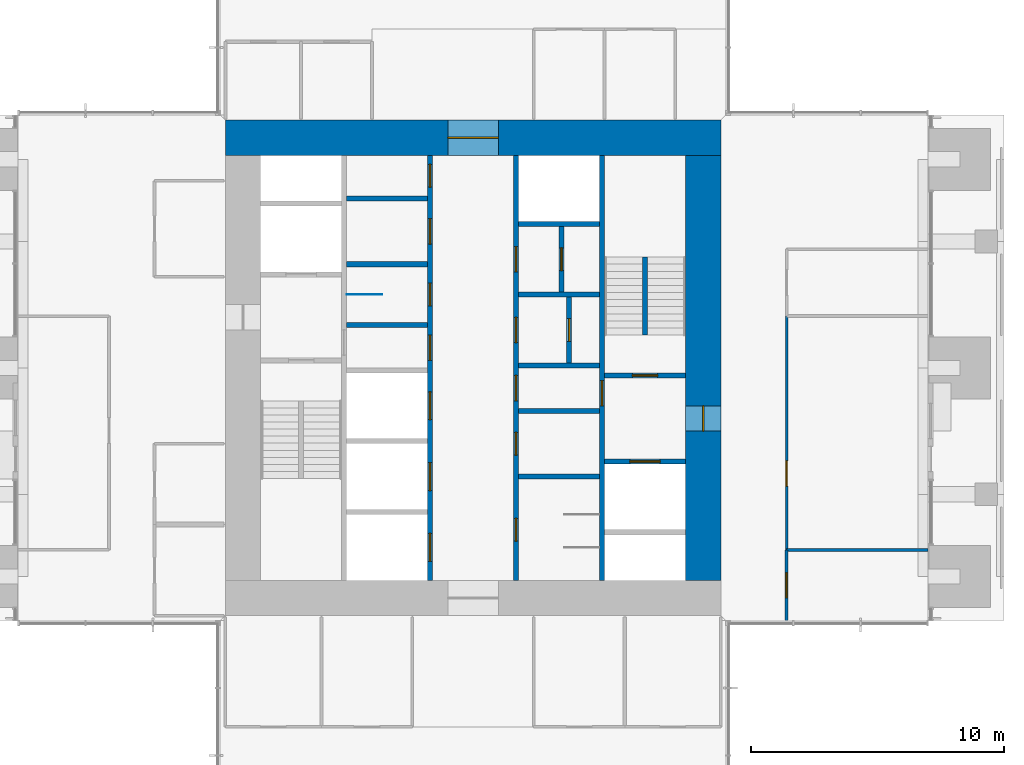
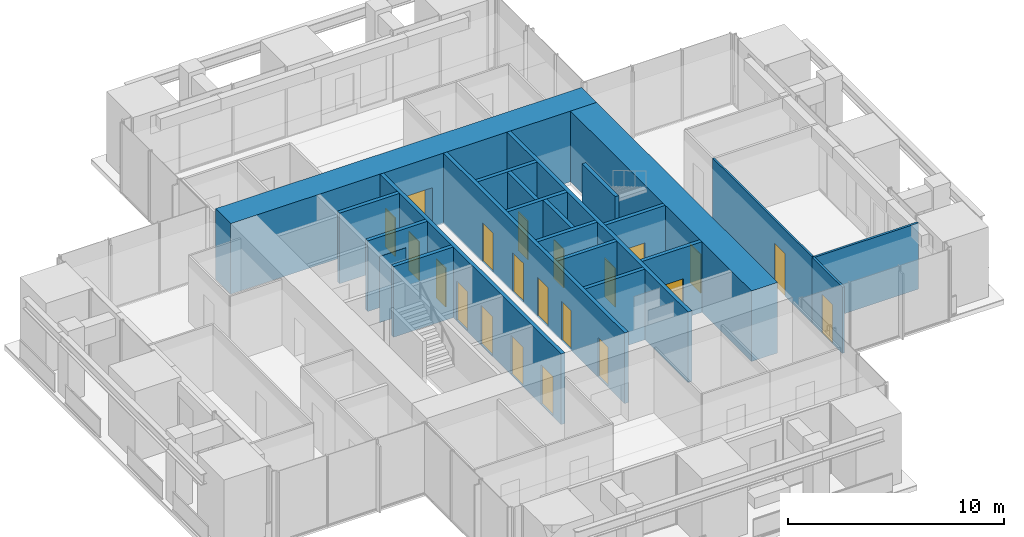
# One storey, part 13 of 17: 22 walls, 21 doors, 21 openings.
"""IFC4 building model written with IfcOpenShell, lengths in metres."""

from ifc_helpers import new_model, si_unit, direction, frame, frame_2d, origin, place, context, subcontext, project, spatial, rectangle, extrude, material, layer, layer_set, type_object, element, fill, save


model = new_model("IFC4")

# Units and contexts
model_context = context("Model", 3, precision=1e-05, world=origin(), true_north=direction((0.0, 1.0)))
body_context = subcontext(model_context, "Body", "Model", "MODEL_VIEW")
ifc_project = project(units=[si_unit("LENGTHUNIT", "METRE"), si_unit("AREAUNIT", "SQUARE_METRE"), si_unit("VOLUMEUNIT", "CUBIC_METRE"), si_unit("PLANEANGLEUNIT", "RADIAN"), si_unit("MASSUNIT", "GRAM", prefix="KILO")], contexts=[model_context])

# Site, building, storey
site_placement = place(None, origin())
site = spatial("IfcSite", under=ifc_project, at=site_placement, CompositionType="ELEMENT")
building_placement = place(site_placement, origin())
building = spatial("IfcBuilding", under=site, at=building_placement, Name="Svetlomir Tower", CompositionType="ELEMENT")
storey_placement = place(building_placement, frame((0.0, 0.0, 202.5)))
storey = spatial("IfcBuildingStorey", under=building, at=storey_placement, Name="L48", CompositionType="ELEMENT", Elevation=202.5)

# Wall, openings, doors
ifc_material_1 = material(Name="Concrete C60/75", Category="concrete")
ifc_layer_1 = layer(ifc_material_1, 0.199951171875)
ifc_layer_set_1 = layer_set([ifc_layer_1], Name="Concrete C60/75")
wall_type_1 = type_object("IfcWallType", Name="CORE INNER WALL 200", PredefinedType="SHEAR", material=ifc_layer_set_1)
wall_1_placement = place(storey_placement, frame((19.300048828125, 12.60009765625, -0.050048828125), z_axis=(0.0, 0.0, 1.0), x_axis=(0.0, 1.0, 0.0)))
wall_1 = element("IfcWall", 1, at=wall_1_placement, inside=storey, type_object=wall_type_1, Name="Core inner wall 19.3 L48", PredefinedType="SHEAR", context=body_context, shape_type="SweptSolid", body=[
    extrude(rectangle(XDim=16.7998046875, YDim=0.199951171875, at=frame_2d((8.39990234375, 0.0))), origin(), (0.0, 0.0, 1.0), 4.0),
])
opening_1_placement = place(wall_1_placement, frame((8.699951171875, 0.0, 0.050048828125)))
opening_1 = element("IfcOpeningElement", 2, at=opening_1_placement, cuts=wall_1, Name="Opening DC", PredefinedType="OPENING", context=body_context, shape_type="SweptSolid", body=[
    extrude(rectangle(XDim=1.0, YDim=2.199951171875, at=frame_2d((0.5, 1.10009765625))), frame((0.0, 0.10986328125, 0.0), z_axis=(0.0, -1.0, 0.0), x_axis=(1.0, 0.0, 0.0)), (0.0, 0.0, 1.0), 0.219970703125),
])
opening_2_placement = place(wall_1_placement, frame((10.85009765625, 0.0, 0.050048828125)))
opening_2 = element("IfcOpeningElement", 3, at=opening_2_placement, cuts=wall_1, Name="Opening DW", PredefinedType="OPENING", context=body_context, shape_type="SweptSolid", body=[
    extrude(rectangle(XDim=0.89990234375, YDim=2.199951171875, at=frame_2d((0.449951171875, 1.10009765625))), frame((0.0, 0.10986328125, 0.0), z_axis=(0.0, -1.0, 0.0), x_axis=(1.0, 0.0, 0.0)), (0.0, 0.0, 1.0), 0.219970703125),
])
opening_3_placement = place(wall_1_placement, frame((13.300048828125, 0.0, 0.050048828125)))
opening_3 = element("IfcOpeningElement", 4, at=opening_3_placement, cuts=wall_1, Name="Opening DC", PredefinedType="OPENING", context=body_context, shape_type="SweptSolid", body=[
    extrude(rectangle(XDim=1.0, YDim=2.199951171875, at=frame_2d((0.5, 1.10009765625))), frame((0.0, 0.10986328125, 0.0), z_axis=(0.0, -1.0, 0.0), x_axis=(1.0, 0.0, 0.0)), (0.0, 0.0, 1.0), 0.219970703125),
])
opening_4_placement = place(wall_1_placement, frame((15.550048828125, 0.0, 0.050048828125)))
opening_4 = element("IfcOpeningElement", 5, at=opening_4_placement, cuts=wall_1, Name="Opening DW", PredefinedType="OPENING", context=body_context, shape_type="SweptSolid", body=[
    extrude(rectangle(XDim=0.89990234375, YDim=2.199951171875, at=frame_2d((0.449951171875, 1.10009765625))), frame((0.0, 0.10986328125, 0.0), z_axis=(0.0, -1.0, 0.0), x_axis=(1.0, 0.0, 0.0)), (0.0, 0.0, 1.0), 0.219970703125),
])
opening_5_placement = place(wall_1_placement, frame((0.75, 0.0, 0.050048828125)))
opening_5 = element("IfcOpeningElement", 6, at=opening_5_placement, cuts=wall_1, Name="Opening LD", PredefinedType="OPENING", context=body_context, shape_type="SweptSolid", body=[
    extrude(rectangle(XDim=1.10009765625, YDim=2.199951171875, at=frame_2d((0.550048828125, 1.10009765625))), frame((0.0, 0.10986328125, 0.0), z_axis=(0.0, -1.0, 0.0), x_axis=(1.0, 0.0, 0.0)), (0.0, 0.0, 1.0), 0.219970703125),
])
opening_6_placement = place(wall_1_placement, frame((3.550048828125, 0.0, 0.050048828125)))
opening_6 = element("IfcOpeningElement", 7, at=opening_6_placement, cuts=wall_1, Name="Opening LD", PredefinedType="OPENING", context=body_context, shape_type="SweptSolid", body=[
    extrude(rectangle(XDim=1.10009765625, YDim=2.199951171875, at=frame_2d((0.550048828125, 1.10009765625))), frame((0.0, 0.10986328125, 0.0), z_axis=(0.0, -1.0, 0.0), x_axis=(1.0, 0.0, 0.0)), (0.0, 0.0, 1.0), 0.219970703125),
])
opening_7_placement = place(wall_1_placement, frame((6.35009765625, 0.0, 0.050048828125)))
opening_7 = element("IfcOpeningElement", 8, at=opening_7_placement, cuts=wall_1, Name="Opening LD", PredefinedType="OPENING", context=body_context, shape_type="SweptSolid", body=[
    extrude(rectangle(XDim=1.10009765625, YDim=2.199951171875, at=frame_2d((0.550048828125, 1.10009765625))), frame((0.0, 0.10986328125, 0.0), z_axis=(0.0, -1.0, 0.0), x_axis=(1.0, 0.0, 0.0)), (0.0, 0.0, 1.0), 0.219970703125),
])
ifc_material_2 = material(Name="Timber fire door", Category="wood")
door_type_1 = type_object("IfcDoorType", Name="DOOR DC 1000x2200", OperationType="SINGLE_SWING_LEFT", PredefinedType="DOOR", material=ifc_material_2)
door_1_placement = place(opening_1_placement, origin())
door_1 = element("IfcDoor", 9, at=door_1_placement, inside=storey, type_object=door_type_1, Name="Core corridor west lobby door L48", OperationType="SINGLE_SWING_LEFT", OverallHeight=2.199951171875, OverallWidth=1.0, PredefinedType="DOOR", context=body_context, shape_type="SweptSolid", body=[
    extrude(rectangle(XDim=1.0, YDim=2.199951171875, at=frame_2d((0.5, 1.10009765625))), frame((0.0, 0.02490234375, 0.0), z_axis=(0.0, -1.0, 0.0), x_axis=(1.0, 0.0, 0.0)), (0.0, 0.0, 1.0), 0.050048828125),
])
fill(opening_1, door_1)
door_2_placement = place(opening_3_placement, origin())
door_2 = element("IfcDoor", 10, at=door_2_placement, inside=storey, type_object=door_type_1, Name="Accessible WC door L48", OperationType="SINGLE_SWING_RIGHT", OverallHeight=2.199951171875, OverallWidth=1.0, PredefinedType="DOOR", context=body_context, shape_type="SweptSolid", body=[
    extrude(rectangle(XDim=1.0, YDim=2.199951171875, at=frame_2d((0.5, 1.10009765625))), frame((0.0, 0.02490234375, 0.0), z_axis=(0.0, -1.0, 0.0), x_axis=(1.0, 0.0, 0.0)), (0.0, 0.0, 1.0), 0.050048828125),
])
fill(opening_3, door_2)
ifc_material_3 = material(Name="Timber fire door", Category="wood")
door_type_2 = type_object("IfcDoorType", Name="DOOR DW 900x2200", OperationType="SINGLE_SWING_LEFT", PredefinedType="DOOR", material=ifc_material_3)
door_3_placement = place(opening_2_placement, origin())
door_3 = element("IfcDoor", 11, at=door_3_placement, inside=storey, type_object=door_type_2, Name="Female WC door L48", OperationType="SINGLE_SWING_LEFT", OverallHeight=2.199951171875, OverallWidth=0.89990234375, PredefinedType="DOOR", context=body_context, shape_type="SweptSolid", body=[
    extrude(rectangle(XDim=0.89990234375, YDim=2.199951171875, at=frame_2d((0.449951171875, 1.10009765625))), frame((0.0, 0.02490234375, 0.0), z_axis=(0.0, -1.0, 0.0), x_axis=(1.0, 0.0, 0.0)), (0.0, 0.0, 1.0), 0.050048828125),
])
fill(opening_2, door_3)
door_4_placement = place(opening_4_placement, origin())
door_4 = element("IfcDoor", 12, at=door_4_placement, inside=storey, type_object=door_type_2, Name="Cleaner's store door L48", OperationType="SINGLE_SWING_LEFT", OverallHeight=2.199951171875, OverallWidth=0.89990234375, PredefinedType="DOOR", context=body_context, shape_type="SweptSolid", body=[
    extrude(rectangle(XDim=0.89990234375, YDim=2.199951171875, at=frame_2d((0.449951171875, 1.10009765625))), frame((0.0, 0.02490234375, 0.0), z_axis=(0.0, -1.0, 0.0), x_axis=(1.0, 0.0, 0.0)), (0.0, 0.0, 1.0), 0.050048828125),
])
fill(opening_4, door_4)
ifc_material_4 = material(Name="Stainless steel landing door", Category="steel")
door_type_3 = type_object("IfcDoorType", Name="LIFT LANDING DOOR LD 1100x2200", OperationType="DOUBLE_DOOR_SLIDING", PredefinedType="DOOR", material=ifc_material_4)
door_5_placement = place(opening_5_placement, origin())
door_5 = element("IfcDoor", 13, at=door_5_placement, inside=storey, type_object=door_type_3, Name="Landing door lift LC1 L48", OperationType="DOUBLE_DOOR_SLIDING", OverallHeight=2.199951171875, OverallWidth=1.10009765625, PredefinedType="DOOR", context=body_context, shape_type="SweptSolid", body=[
    extrude(rectangle(XDim=1.10009765625, YDim=2.199951171875, at=frame_2d((0.550048828125, 1.10009765625))), frame((0.0, 0.02490234375, 0.0), z_axis=(0.0, -1.0, 0.0), x_axis=(1.0, 0.0, 0.0)), (0.0, 0.0, 1.0), 0.050048828125),
])
fill(opening_5, door_5)
door_6_placement = place(opening_6_placement, origin())
door_6 = element("IfcDoor", 14, at=door_6_placement, inside=storey, type_object=door_type_3, Name="Landing door lift LC2 L48", OperationType="DOUBLE_DOOR_SLIDING", OverallHeight=2.199951171875, OverallWidth=1.10009765625, PredefinedType="DOOR", context=body_context, shape_type="SweptSolid", body=[
    extrude(rectangle(XDim=1.10009765625, YDim=2.199951171875, at=frame_2d((0.550048828125, 1.10009765625))), frame((0.0, 0.02490234375, 0.0), z_axis=(0.0, -1.0, 0.0), x_axis=(1.0, 0.0, 0.0)), (0.0, 0.0, 1.0), 0.050048828125),
])
fill(opening_6, door_6)
door_7_placement = place(opening_7_placement, origin())
door_7 = element("IfcDoor", 15, at=door_7_placement, inside=storey, type_object=door_type_3, Name="Landing door lift LC3 L48", OperationType="DOUBLE_DOOR_SLIDING", OverallHeight=2.199951171875, OverallWidth=1.10009765625, PredefinedType="DOOR", context=body_context, shape_type="SweptSolid", body=[
    extrude(rectangle(XDim=1.10009765625, YDim=2.199951171875, at=frame_2d((0.550048828125, 1.10009765625))), frame((0.0, 0.02490234375, 0.0), z_axis=(0.0, -1.0, 0.0), x_axis=(1.0, 0.0, 0.0)), (0.0, 0.0, 1.0), 0.050048828125),
])
fill(opening_7, door_7)

wall_2_placement = place(storey_placement, frame((22.699951171875, 12.60009765625, -0.050048828125), z_axis=(0.0, 0.0, 1.0), x_axis=(0.0, 1.0, 0.0)))
wall_2 = element("IfcWall", 16, at=wall_2_placement, inside=storey, type_object=wall_type_1, Name="Core inner wall 22.7 L48", PredefinedType="SHEAR", context=body_context, shape_type="SweptSolid", body=[
    extrude(rectangle(XDim=16.7998046875, YDim=0.199951171875, at=frame_2d((8.39990234375, 0.0))), origin(), (0.0, 0.0, 1.0), 4.0),
])
opening_8_placement = place(wall_2_placement, frame((7.10009765625, 0.0, 0.050048828125)))
opening_8 = element("IfcOpeningElement", 17, at=opening_8_placement, cuts=wall_2, Name="Opening DC", PredefinedType="OPENING", context=body_context, shape_type="SweptSolid", body=[
    extrude(rectangle(XDim=1.0, YDim=2.199951171875, at=frame_2d((0.5, 1.10009765625))), frame((0.0, 0.10986328125, 0.0), z_axis=(0.0, -1.0, 0.0), x_axis=(1.0, 0.0, 0.0)), (0.0, 0.0, 1.0), 0.219970703125),
])
opening_9_placement = place(wall_2_placement, frame((1.550048828125, 0.0, 0.050048828125)))
opening_9 = element("IfcOpeningElement", 18, at=opening_9_placement, cuts=wall_2, Name="Opening DW", PredefinedType="OPENING", context=body_context, shape_type="SweptSolid", body=[
    extrude(rectangle(XDim=0.89990234375, YDim=2.199951171875, at=frame_2d((0.449951171875, 1.10009765625))), frame((0.0, 0.10986328125, 0.0), z_axis=(0.0, -1.0, 0.0), x_axis=(1.0, 0.0, 0.0)), (0.0, 0.0, 1.0), 0.219970703125),
])
opening_10_placement = place(wall_2_placement, frame((4.949951171875, 0.0, 0.050048828125)))
opening_10 = element("IfcOpeningElement", 19, at=opening_10_placement, cuts=wall_2, Name="Opening DW", PredefinedType="OPENING", context=body_context, shape_type="SweptSolid", body=[
    extrude(rectangle(XDim=0.89990234375, YDim=2.199951171875, at=frame_2d((0.449951171875, 1.10009765625))), frame((0.0, 0.10986328125, 0.0), z_axis=(0.0, -1.0, 0.0), x_axis=(1.0, 0.0, 0.0)), (0.0, 0.0, 1.0), 0.219970703125),
])
opening_11_placement = place(wall_2_placement, frame((9.39990234375, 0.0, 0.050048828125)))
opening_11 = element("IfcOpeningElement", 20, at=opening_11_placement, cuts=wall_2, Name="Opening DC", PredefinedType="OPENING", context=body_context, shape_type="SweptSolid", body=[
    extrude(rectangle(XDim=1.0, YDim=2.199951171875, at=frame_2d((0.5, 1.10009765625))), frame((0.0, 0.10986328125, 0.0), z_axis=(0.0, -1.0, 0.0), x_axis=(1.0, 0.0, 0.0)), (0.0, 0.0, 1.0), 0.219970703125),
])
opening_12_placement = place(wall_2_placement, frame((12.199951171875, 0.0, 0.050048828125)))
opening_12 = element("IfcOpeningElement", 21, at=opening_12_placement, cuts=wall_2, Name="Opening DC", PredefinedType="OPENING", context=body_context, shape_type="SweptSolid", body=[
    extrude(rectangle(XDim=1.0, YDim=2.199951171875, at=frame_2d((0.5, 1.10009765625))), frame((0.0, 0.10986328125, 0.0), z_axis=(0.0, -1.0, 0.0), x_axis=(1.0, 0.0, 0.0)), (0.0, 0.0, 1.0), 0.219970703125),
])
door_8_placement = place(opening_8_placement, origin())
door_8 = element("IfcDoor", 22, at=door_8_placement, inside=storey, type_object=door_type_1, Name="Core corridor east lobby door L48", OperationType="SINGLE_SWING_RIGHT", OverallHeight=2.199951171875, OverallWidth=1.0, PredefinedType="DOOR", context=body_context, shape_type="SweptSolid", body=[
    extrude(rectangle(XDim=1.0, YDim=2.199951171875, at=frame_2d((0.5, 1.10009765625))), frame((0.0, 0.02490234375, 0.0), z_axis=(0.0, -1.0, 0.0), x_axis=(1.0, 0.0, 0.0)), (0.0, 0.0, 1.0), 0.050048828125),
])
fill(opening_8, door_8)
door_9_placement = place(opening_11_placement, origin())
door_9 = element("IfcDoor", 23, at=door_9_placement, inside=storey, type_object=door_type_1, Name="Converted shaft BANK-E1 room door L48", OperationType="SINGLE_SWING_RIGHT", OverallHeight=2.199951171875, OverallWidth=1.0, PredefinedType="DOOR", context=body_context, shape_type="SweptSolid", body=[
    extrude(rectangle(XDim=1.0, YDim=2.199951171875, at=frame_2d((0.5, 1.10009765625))), frame((0.0, 0.02490234375, 0.0), z_axis=(0.0, -1.0, 0.0), x_axis=(1.0, 0.0, 0.0)), (0.0, 0.0, 1.0), 0.050048828125),
])
fill(opening_11, door_9)
door_10_placement = place(opening_12_placement, origin())
door_10 = element("IfcDoor", 24, at=door_10_placement, inside=storey, type_object=door_type_1, Name="Converted shaft BANK-E2 room door L48", OperationType="SINGLE_SWING_RIGHT", OverallHeight=2.199951171875, OverallWidth=1.0, PredefinedType="DOOR", context=body_context, shape_type="SweptSolid", body=[
    extrude(rectangle(XDim=1.0, YDim=2.199951171875, at=frame_2d((0.5, 1.10009765625))), frame((0.0, 0.02490234375, 0.0), z_axis=(0.0, -1.0, 0.0), x_axis=(1.0, 0.0, 0.0)), (0.0, 0.0, 1.0), 0.050048828125),
])
fill(opening_12, door_10)
door_11_placement = place(opening_9_placement, origin())
door_11 = element("IfcDoor", 25, at=door_11_placement, inside=storey, type_object=door_type_2, Name="Male WC door L48", OperationType="SINGLE_SWING_RIGHT", OverallHeight=2.199951171875, OverallWidth=0.89990234375, PredefinedType="DOOR", context=body_context, shape_type="SweptSolid", body=[
    extrude(rectangle(XDim=0.89990234375, YDim=2.199951171875, at=frame_2d((0.449951171875, 1.10009765625))), frame((0.0, 0.02490234375, 0.0), z_axis=(0.0, -1.0, 0.0), x_axis=(1.0, 0.0, 0.0)), (0.0, 0.0, 1.0), 0.050048828125),
])
fill(opening_9, door_11)
door_12_placement = place(opening_10_placement, origin())
door_12 = element("IfcDoor", 26, at=door_12_placement, inside=storey, type_object=door_type_2, Name="Comms room door L48", OperationType="SINGLE_SWING_LEFT", OverallHeight=2.199951171875, OverallWidth=0.89990234375, PredefinedType="DOOR", context=body_context, shape_type="SweptSolid", body=[
    extrude(rectangle(XDim=0.89990234375, YDim=2.199951171875, at=frame_2d((0.449951171875, 1.10009765625))), frame((0.0, 0.02490234375, 0.0), z_axis=(0.0, -1.0, 0.0), x_axis=(1.0, 0.0, 0.0)), (0.0, 0.0, 1.0), 0.050048828125),
])
fill(opening_10, door_12)

# Wall, opening, door
wall_3_placement = place(storey_placement, frame((26.10009765625, 12.60009765625, -0.050048828125), z_axis=(0.0, 0.0, 1.0), x_axis=(0.0, 1.0, 0.0)))
wall_3 = element("IfcWall", 27, at=wall_3_placement, inside=storey, type_object=wall_type_1, Name="Core inner wall 26.1 L48", PredefinedType="SHEAR", context=body_context, shape_type="SweptSolid", body=[
    extrude(rectangle(XDim=16.7998046875, YDim=0.199951171875, at=frame_2d((8.39990234375, 0.0))), origin(), (0.0, 0.0, 1.0), 4.0),
])
opening_13_placement = place(wall_3_placement, frame((6.89990234375, 0.0, 0.050048828125)))
opening_13 = element("IfcOpeningElement", 28, at=opening_13_placement, cuts=wall_3, Name="Opening DF", PredefinedType="OPENING", context=body_context, shape_type="SweptSolid", body=[
    extrude(rectangle(XDim=1.0, YDim=2.199951171875, at=frame_2d((0.5, 1.10009765625))), frame((0.0, 0.10986328125, 0.0), z_axis=(0.0, -1.0, 0.0), x_axis=(1.0, 0.0, 0.0)), (0.0, 0.0, 1.0), 0.219970703125),
])
ifc_material_5 = material(Name="Steel fire door", Category="steel")
door_type_4 = type_object("IfcDoorType", Name="DOOR DF 1000x2200", OperationType="SINGLE_SWING_LEFT", PredefinedType="DOOR", material=ifc_material_5)
door_13_placement = place(opening_13_placement, origin())
door_13 = element("IfcDoor", 29, at=door_13_placement, inside=storey, type_object=door_type_4, Name="Core corridor east door L48", OperationType="SINGLE_SWING_LEFT", OverallHeight=2.199951171875, OverallWidth=1.0, PredefinedType="DOOR", context=body_context, shape_type="SweptSolid", body=[
    extrude(rectangle(XDim=1.0, YDim=2.199951171875, at=frame_2d((0.5, 1.10009765625))), frame((0.0, 0.02490234375, 0.0), z_axis=(0.0, -1.0, 0.0), x_axis=(1.0, 0.0, 0.0)), (0.0, 0.0, 1.0), 0.050048828125),
])
fill(opening_13, door_13)

# Walls
for number, where, z_axis, x_axis, name in (
    (30, (16.0, 22.699951171875, -0.050048828125), (0.0, 0.0, 1.0), (1.0, 0.0, 0.0), "Core inner wall 16-19.2/22.7 L48"),
    (31, (16.0, 25.10009765625, -0.050048828125), (0.0, 0.0, 1.0), (1.0, 0.0, 0.0), "Core inner wall 16-19.2/25.1 L48"),
    (32, (16.0, 27.699951171875, -0.050048828125), (0.0, 0.0, 1.0), (1.0, 0.0, 0.0), "Core inner wall 16-19.2/27.7 L48"),
    (33, (22.800048828125, 16.699951171875, -0.050048828125), (0.0, 0.0, 1.0), (1.0, 0.0, 0.0), "Core inner wall 22.8-26/16.7 L48"),
    (34, (22.800048828125, 19.300048828125, -0.050048828125), (0.0, 0.0, 1.0), (1.0, 0.0, 0.0), "Core inner wall 22.8-26/19.3 L48"),
    (35, (22.800048828125, 21.10009765625, -0.050048828125), (0.0, 0.0, 1.0), (1.0, 0.0, 0.0), "Core inner wall 22.8-26/21.1 L48"),
    (36, (22.800048828125, 23.89990234375, -0.050048828125), (0.0, 0.0, 1.0), (1.0, 0.0, 0.0), "Core inner wall 22.8-26/23.9 L48"),
    (37, (22.800048828125, 26.699951171875, -0.050048828125), (0.0, 0.0, 1.0), (1.0, 0.0, 0.0), "Core inner wall 22.8-26/26.7 L48"),
):
    element("IfcWall", number, at=place(storey_placement, frame(where, z_axis=z_axis, x_axis=x_axis)), inside=storey, type_object=wall_type_1, Name=name, PredefinedType="SHEAR", context=body_context, shape_type="SweptSolid", body=[
        extrude(rectangle(XDim=3.199951171875, YDim=0.199951171875, at=frame_2d((1.60009765625, 0.0))), origin(), (0.0, 0.0, 1.0), 4.0),
    ])

# Wall, opening, door
wall_4_placement = place(storey_placement, frame((26.199951171875, 17.300048828125, -0.050048828125), z_axis=(0.0, 0.0, 1.0), x_axis=(1.0, 0.0, 0.0)))
wall_4 = element("IfcWall", 38, at=wall_4_placement, inside=storey, type_object=wall_type_1, Name="Core inner wall 26.2-29.4/17.3 L48", PredefinedType="SHEAR", context=body_context, shape_type="SweptSolid", body=[
    extrude(rectangle(XDim=3.199951171875, YDim=0.199951171875, at=frame_2d((1.60009765625, 0.0))), origin(), (0.0, 0.0, 1.0), 4.0),
])
opening_14_placement = place(wall_4_placement, frame((1.0, 0.0, 0.050048828125)))
opening_14 = element("IfcOpeningElement", 39, at=opening_14_placement, cuts=wall_4, Name="Opening LD3", PredefinedType="OPENING", context=body_context, shape_type="SweptSolid", body=[
    extrude(rectangle(XDim=1.199951171875, YDim=2.199951171875, at=frame_2d((0.60009765625, 1.10009765625))), frame((0.0, 0.10986328125, 0.0), z_axis=(0.0, -1.0, 0.0), x_axis=(1.0, 0.0, 0.0)), (0.0, 0.0, 1.0), 0.219970703125),
])
ifc_material_6 = material(Name="Stainless steel fire-rated landing door", Category="steel")
door_type_5 = type_object("IfcDoorType", Name="FIREFIGHTING LIFT LANDING DOOR LD3 1200x2200", OperationType="DOUBLE_DOOR_SLIDING", PredefinedType="DOOR", material=ifc_material_6)
door_14_placement = place(opening_14_placement, origin())
door_14 = element("IfcDoor", 40, at=door_14_placement, inside=storey, type_object=door_type_5, Name="Landing door lift FL2 L48", OperationType="DOUBLE_DOOR_SLIDING", OverallHeight=2.199951171875, OverallWidth=1.199951171875, PredefinedType="DOOR", context=body_context, shape_type="SweptSolid", body=[
    extrude(rectangle(XDim=1.199951171875, YDim=2.199951171875, at=frame_2d((0.60009765625, 1.10009765625))), frame((0.0, 0.02490234375, 0.0), z_axis=(0.0, -1.0, 0.0), x_axis=(1.0, 0.0, 0.0)), (0.0, 0.0, 1.0), 0.050048828125),
])
fill(opening_14, door_14)

wall_5_placement = place(storey_placement, frame((26.199951171875, 20.699951171875, -0.050048828125), z_axis=(0.0, 0.0, 1.0), x_axis=(1.0, 0.0, 0.0)))
wall_5 = element("IfcWall", 41, at=wall_5_placement, inside=storey, type_object=wall_type_1, Name="Core inner wall 26.2-29.4/20.7 L48", PredefinedType="SHEAR", context=body_context, shape_type="SweptSolid", body=[
    extrude(rectangle(XDim=3.199951171875, YDim=0.199951171875, at=frame_2d((1.60009765625, 0.0))), origin(), (0.0, 0.0, 1.0), 4.0),
])
opening_15_placement = place(wall_5_placement, frame((1.10009765625, 0.0, 0.050048828125)))
opening_15 = element("IfcOpeningElement", 42, at=opening_15_placement, cuts=wall_5, Name="Opening DF", PredefinedType="OPENING", context=body_context, shape_type="SweptSolid", body=[
    extrude(rectangle(XDim=1.0, YDim=2.199951171875, at=frame_2d((0.5, 1.10009765625))), frame((0.0, 0.10986328125, 0.0), z_axis=(0.0, -1.0, 0.0), x_axis=(1.0, 0.0, 0.0)), (0.0, 0.0, 1.0), 0.219970703125),
])
door_15_placement = place(opening_15_placement, origin())
door_15 = element("IfcDoor", 43, at=door_15_placement, inside=storey, type_object=door_type_4, Name="Stair S2 door L48", OperationType="SINGLE_SWING_RIGHT", OverallHeight=2.199951171875, OverallWidth=1.0, PredefinedType="DOOR", context=body_context, shape_type="SweptSolid", body=[
    extrude(rectangle(XDim=1.0, YDim=2.199951171875, at=frame_2d((0.5, 1.10009765625))), frame((0.0, 0.02490234375, 0.0), z_axis=(0.0, -1.0, 0.0), x_axis=(1.0, 0.0, 0.0)), (0.0, 0.0, 1.0), 0.050048828125),
])
fill(opening_15, door_15)

wall_6_placement = place(storey_placement, frame((24.800048828125, 21.199951171875, -0.050048828125), z_axis=(0.0, 0.0, 1.0), x_axis=(0.0, 1.0, 0.0)))
wall_6 = element("IfcWall", 44, at=wall_6_placement, inside=storey, type_object=wall_type_1, Name="Core inner wall 24.8/21.2-23.8 L48", PredefinedType="SHEAR", context=body_context, shape_type="SweptSolid", body=[
    extrude(rectangle(XDim=2.60009765625, YDim=0.199951171875, at=frame_2d((1.300048828125, 0.0))), origin(), (0.0, 0.0, 1.0), 4.0),
])
opening_16_placement = place(wall_6_placement, frame((0.85009765625, 0.0, 0.050048828125)))
opening_16 = element("IfcOpeningElement", 45, at=opening_16_placement, cuts=wall_6, Name="Opening DW", PredefinedType="OPENING", context=body_context, shape_type="SweptSolid", body=[
    extrude(rectangle(XDim=0.89990234375, YDim=2.199951171875, at=frame_2d((0.449951171875, 1.10009765625))), frame((0.0, 0.10986328125, 0.0), z_axis=(0.0, -1.0, 0.0), x_axis=(1.0, 0.0, 0.0)), (0.0, 0.0, 1.0), 0.219970703125),
])
door_16_placement = place(opening_16_placement, origin())
door_16 = element("IfcDoor", 46, at=door_16_placement, inside=storey, type_object=door_type_2, Name="Converted shaft BANK-E1 back room door L48", OperationType="SINGLE_SWING_LEFT", OverallHeight=2.199951171875, OverallWidth=0.89990234375, PredefinedType="DOOR", context=body_context, shape_type="SweptSolid", body=[
    extrude(rectangle(XDim=0.89990234375, YDim=2.199951171875, at=frame_2d((0.449951171875, 1.10009765625))), frame((0.0, 0.02490234375, 0.0), z_axis=(0.0, -1.0, 0.0), x_axis=(1.0, 0.0, 0.0)), (0.0, 0.0, 1.0), 0.050048828125),
])
fill(opening_16, door_16)

wall_7_placement = place(storey_placement, frame((24.5, 24.0, -0.050048828125), z_axis=(0.0, 0.0, 1.0), x_axis=(0.0, 1.0, 0.0)))
wall_7 = element("IfcWall", 47, at=wall_7_placement, inside=storey, type_object=wall_type_1, Name="Core inner wall 24.5/24-26.6 L48", PredefinedType="SHEAR", context=body_context, shape_type="SweptSolid", body=[
    extrude(rectangle(XDim=2.60009765625, YDim=0.199951171875, at=frame_2d((1.300048828125, 0.0))), origin(), (0.0, 0.0, 1.0), 4.0),
])
opening_17_placement = place(wall_7_placement, frame((0.85009765625, 0.0, 0.050048828125)))
opening_17 = element("IfcOpeningElement", 48, at=opening_17_placement, cuts=wall_7, Name="Opening DW", PredefinedType="OPENING", context=body_context, shape_type="SweptSolid", body=[
    extrude(rectangle(XDim=0.89990234375, YDim=2.199951171875, at=frame_2d((0.449951171875, 1.10009765625))), frame((0.0, 0.10986328125, 0.0), z_axis=(0.0, -1.0, 0.0), x_axis=(1.0, 0.0, 0.0)), (0.0, 0.0, 1.0), 0.219970703125),
])
door_17_placement = place(opening_17_placement, origin())
door_17 = element("IfcDoor", 49, at=door_17_placement, inside=storey, type_object=door_type_2, Name="Converted shaft BANK-E2 back room door L48", OperationType="SINGLE_SWING_LEFT", OverallHeight=2.199951171875, OverallWidth=0.89990234375, PredefinedType="DOOR", context=body_context, shape_type="SweptSolid", body=[
    extrude(rectangle(XDim=0.89990234375, YDim=2.199951171875, at=frame_2d((0.449951171875, 1.10009765625))), frame((0.0, 0.02490234375, 0.0), z_axis=(0.0, -1.0, 0.0), x_axis=(1.0, 0.0, 0.0)), (0.0, 0.0, 1.0), 0.050048828125),
])
fill(opening_17, door_17)

ifc_material_7 = material(Name="Concrete C60/75", Category="concrete")
ifc_layer_2 = layer(ifc_material_7, 1.39990234375)
ifc_layer_set_2 = layer_set([ifc_layer_2], Name="Concrete C60/75")
wall_type_2 = type_object("IfcWallType", Name="CORE WALL 1400", PredefinedType="SHEAR", material=ifc_layer_set_2)
wall_8_placement = place(storey_placement, frame((11.199951171875, 30.10009765625, -0.050048828125), z_axis=(0.0, 0.0, 1.0), x_axis=(1.0, 0.0, 0.0)))
wall_8 = element("IfcWall", 50, at=wall_8_placement, inside=storey, type_object=wall_type_2, Name="Core wall north L48", PredefinedType="SHEAR", context=body_context, shape_type="SweptSolid", body=[
    extrude(rectangle(XDim=19.60009765625, YDim=1.39990234375, at=frame_2d((9.800048828125, 0.0))), origin(), (0.0, 0.0, 1.0), 4.0),
])
opening_18_placement = place(wall_8_placement, frame((8.800048828125, 0.0, 0.050048828125)))
opening_18 = element("IfcOpeningElement", 51, at=opening_18_placement, cuts=wall_8, Name="Opening DL", PredefinedType="OPENING", context=body_context, shape_type="SweptSolid", body=[
    extrude(rectangle(XDim=2.0, YDim=2.199951171875, at=frame_2d((1.0, 1.10009765625))), frame((0.0, 0.7099609375, 0.0), z_axis=(0.0, -1.0, 0.0), x_axis=(1.0, 0.0, 0.0)), (0.0, 0.0, 1.0), 1.419921875),
])
ifc_material_8 = material(Name="Steel fire door", Category="steel")
door_type_6 = type_object("IfcDoorType", Name="DOOR DL 2000x2200", OperationType="DOUBLE_DOOR_SINGLE_SWING", PredefinedType="DOOR", material=ifc_material_8)
door_18_placement = place(opening_18_placement, origin())
door_18 = element("IfcDoor", 52, at=door_18_placement, inside=storey, type_object=door_type_6, Name="Lift lobby north door L48", OperationType="DOUBLE_DOOR_SINGLE_SWING", OverallHeight=2.199951171875, OverallWidth=2.0, PredefinedType="DOOR", context=body_context, shape_type="SweptSolid", body=[
    extrude(rectangle(XDim=2.0, YDim=2.199951171875, at=frame_2d((1.0, 1.10009765625))), frame((0.0, 0.02490234375, 0.0), z_axis=(0.0, -1.0, 0.0), x_axis=(1.0, 0.0, 0.0)), (0.0, 0.0, 1.0), 0.050048828125),
])
fill(opening_18, door_18)

wall_9_placement = place(storey_placement, frame((30.10009765625, 12.60009765625, -0.050048828125), z_axis=(0.0, 0.0, 1.0), x_axis=(0.0, 1.0, 0.0)))
wall_9 = element("IfcWall", 53, at=wall_9_placement, inside=storey, type_object=wall_type_2, Name="Core wall east L48", PredefinedType="SHEAR", context=body_context, shape_type="SweptSolid", body=[
    extrude(rectangle(XDim=16.7998046875, YDim=1.39990234375, at=frame_2d((8.39990234375, 0.0))), origin(), (0.0, 0.0, 1.0), 4.0),
])
opening_19_placement = place(wall_9_placement, frame((5.89990234375, 0.0, 0.050048828125)))
opening_19 = element("IfcOpeningElement", 54, at=opening_19_placement, cuts=wall_9, Name="Opening DF", PredefinedType="OPENING", context=body_context, shape_type="SweptSolid", body=[
    extrude(rectangle(XDim=1.0, YDim=2.199951171875, at=frame_2d((0.5, 1.10009765625))), frame((0.0, 0.7099609375, 0.0), z_axis=(0.0, -1.0, 0.0), x_axis=(1.0, 0.0, 0.0)), (0.0, 0.0, 1.0), 1.419921875),
])
door_19_placement = place(opening_19_placement, origin())
door_19 = element("IfcDoor", 55, at=door_19_placement, inside=storey, type_object=door_type_4, Name="Firefighting lobby east door L48", OperationType="SINGLE_SWING_RIGHT", OverallHeight=2.199951171875, OverallWidth=1.0, PredefinedType="DOOR", context=body_context, shape_type="SweptSolid", body=[
    extrude(rectangle(XDim=1.0, YDim=2.199951171875, at=frame_2d((0.5, 1.10009765625))), frame((0.0, 0.02490234375, 0.0), z_axis=(0.0, -1.0, 0.0), x_axis=(1.0, 0.0, 0.0)), (0.0, 0.0, 1.0), 0.050048828125),
])
fill(opening_19, door_19)

ifc_material_9 = material(Name="Framed laminated glass partition", Category="glass")
ifc_layer_3 = layer(ifc_material_9, 0.10009765625)
ifc_layer_set_3 = layer_set([ifc_layer_3], Name="Framed laminated glass partition")
wall_type_3 = type_object("IfcWallType", Name="GLAZED PARTITION 100", PredefinedType="PARTITIONING", material=ifc_layer_set_3)
wall_10_placement = place(storey_placement, frame((33.39990234375, 13.800048828125, 0.0), z_axis=(0.0, 0.0, 1.0), x_axis=(0.0, 1.0, 0.0)))
wall_10 = element("IfcWall", 56, at=wall_10_placement, inside=storey, type_object=wall_type_3, Name="Glazed partition L48", PredefinedType="PARTITIONING", context=body_context, shape_type="SweptSolid", body=[
    extrude(rectangle(XDim=9.25, YDim=0.10009765625, at=frame_2d((4.625, 0.0))), origin(), (0.0, 0.0, 1.0), 3.75),
])
opening_20_placement = place(wall_10_placement, frame((2.52490234375, 0.0, 0.0)))
opening_20 = element("IfcOpeningElement", 57, at=opening_20_placement, cuts=wall_10, Name="Opening DG", PredefinedType="OPENING", context=body_context, shape_type="SweptSolid", body=[
    extrude(rectangle(XDim=1.0, YDim=2.39990234375, at=frame_2d((0.5, 1.199951171875))), frame((0.0, 0.06005859375, 0.0), z_axis=(0.0, -1.0, 0.0), x_axis=(1.0, 0.0, 0.0)), (0.0, 0.0, 1.0), 0.1201171875),
])
ifc_material_10 = material(Name="Framed laminated glass door", Category="glass")
door_type_7 = type_object("IfcDoorType", Name="GLAZED DOOR DG 1000x2400", OperationType="SINGLE_SWING_LEFT", PredefinedType="DOOR", material=ifc_material_10)
door_20_placement = place(opening_20_placement, origin())
door_20 = element("IfcDoor", 58, at=door_20_placement, inside=storey, type_object=door_type_7, Name="Product demo lounge door L48", OperationType="SINGLE_SWING_LEFT", OverallHeight=2.39990234375, OverallWidth=1.0, PredefinedType="DOOR", context=body_context, shape_type="SweptSolid", body=[
    extrude(rectangle(XDim=1.0, YDim=2.39990234375, at=frame_2d((0.5, 1.199951171875))), frame((0.0, 0.02490234375, 0.0), z_axis=(0.0, -1.0, 0.0), x_axis=(1.0, 0.0, 0.0)), (0.0, 0.0, 1.0), 0.050048828125),
])
fill(opening_20, door_20)

ifc_material_11 = material(Name="Gypsum board on steel studs", Category="steel")
ifc_layer_4 = layer(ifc_material_11, 0.1201171875)
ifc_layer_set_4 = layer_set([ifc_layer_4], Name="Gypsum board on steel studs")
wall_type_4 = type_object("IfcWallType", Name="PARTITION 120", PredefinedType="PARTITIONING", material=ifc_layer_set_4)
wall_11_placement = place(storey_placement, frame((33.39990234375, 11.0, 0.0), z_axis=(0.0, 0.0, 1.0), x_axis=(0.0, 1.0, 0.0)))
wall_11 = element("IfcWall", 59, at=wall_11_placement, inside=storey, type_object=wall_type_4, Name="Partition L48", PredefinedType="PARTITIONING", context=body_context, shape_type="SweptSolid", body=[
    extrude(rectangle(XDim=2.800048828125, YDim=0.1201171875, at=frame_2d((1.39990234375, 0.0))), origin(), (0.0, 0.0, 1.0), 3.75),
])
opening_21_placement = place(wall_11_placement, frame((0.89990234375, 0.0, 0.0)))
opening_21 = element("IfcOpeningElement", 60, at=opening_21_placement, cuts=wall_11, Name="Opening DR", PredefinedType="OPENING", context=body_context, shape_type="SweptSolid", body=[
    extrude(rectangle(XDim=1.0, YDim=2.199951171875, at=frame_2d((0.5, 1.10009765625))), frame((0.0, 0.070068359375, 0.0), z_axis=(0.0, -1.0, 0.0), x_axis=(1.0, 0.0, 0.0)), (0.0, 0.0, 1.0), 0.14013671875),
])
ifc_material_12 = material(Name="Timber door, glazed side light", Category="wood")
door_type_8 = type_object("IfcDoorType", Name="DOOR DR 1000x2200", OperationType="SINGLE_SWING_LEFT", PredefinedType="DOOR", material=ifc_material_12)
door_21_placement = place(opening_21_placement, origin())
door_21 = element("IfcDoor", 61, at=door_21_placement, inside=storey, type_object=door_type_8, Name="Tribe lead office door L48", OperationType="SINGLE_SWING_RIGHT", OverallHeight=2.199951171875, OverallWidth=1.0, PredefinedType="DOOR", context=body_context, shape_type="SweptSolid", body=[
    extrude(rectangle(XDim=1.0, YDim=2.199951171875, at=frame_2d((0.5, 1.10009765625))), frame((0.0, 0.02490234375, 0.0), z_axis=(0.0, -1.0, 0.0), x_axis=(1.0, 0.0, 0.0)), (0.0, 0.0, 1.0), 0.050048828125),
])
fill(opening_21, door_21)

# Walls
wall_12_placement = place(storey_placement, frame((33.39990234375, 13.800048828125, 0.0), z_axis=(0.0, 0.0, 1.0), x_axis=(1.0, 0.0, 0.0)))
element("IfcWall", 62, at=wall_12_placement, inside=storey, type_object=wall_type_4, Name="Partition L48", PredefinedType="PARTITIONING", context=body_context, shape_type="SweptSolid", body=[
    extrude(rectangle(XDim=5.60009765625, YDim=0.1201171875, at=frame_2d((2.800048828125, 0.0))), origin(), (0.0, 0.0, 1.0), 3.75),
])
ifc_material_13 = material(Name="Concrete C60/75", Category="concrete")
ifc_layer_5 = layer(ifc_material_13, 0.199951171875)
ifc_layer_set_5 = layer_set([ifc_layer_5], Name="Concrete C60/75")
wall_type_5 = type_object("IfcWallType", Name="STAIR SPINE WALL 200", PredefinedType="PARTITIONING", material=ifc_layer_set_5)
wall_13_placement = place(storey_placement, frame((27.800048828125, 22.300048828125, 0.0), z_axis=(0.0, 0.0, 1.0), x_axis=(0.0, 1.0, 0.0)))
element("IfcWall", 63, at=wall_13_placement, inside=storey, type_object=wall_type_5, Name="Stair S2 spine wall L48", PredefinedType="PARTITIONING", context=body_context, shape_type="SweptSolid", body=[
    extrude(rectangle(XDim=3.079833984375, YDim=0.199951171875, at=frame_2d((1.5400390625, 0.0))), origin(), (0.0, 0.0, 1.0), 4.0),
])
ifc_material_14 = material(Name="Compact laminate panel", Category="plastic")
ifc_layer_6 = layer(ifc_material_14, 0.030029296875)
ifc_layer_set_6 = layer_set([ifc_layer_6], Name="Compact laminate panel")
wall_type_6 = type_object("IfcWallType", Name="WC CUBICLE PARTITION 30", PredefinedType="PARTITIONING", material=ifc_layer_set_6)
wall_14_placement = place(storey_placement, frame((16.0, 23.89990234375, 0.0), z_axis=(0.0, 0.0, 1.0), x_axis=(1.0, 0.0, 0.0)))
element("IfcWall", 64, at=wall_14_placement, inside=storey, type_object=wall_type_6, Name="WC cubicle partition L48", PredefinedType="PARTITIONING", context=body_context, shape_type="SweptSolid", body=[
    extrude(rectangle(XDim=1.39990234375, YDim=0.030029296875, at=frame_2d((0.699951171875, 0.0))), origin(), (0.0, 0.0, 1.0), 3.75),
])

save(model, "model.ifc")
